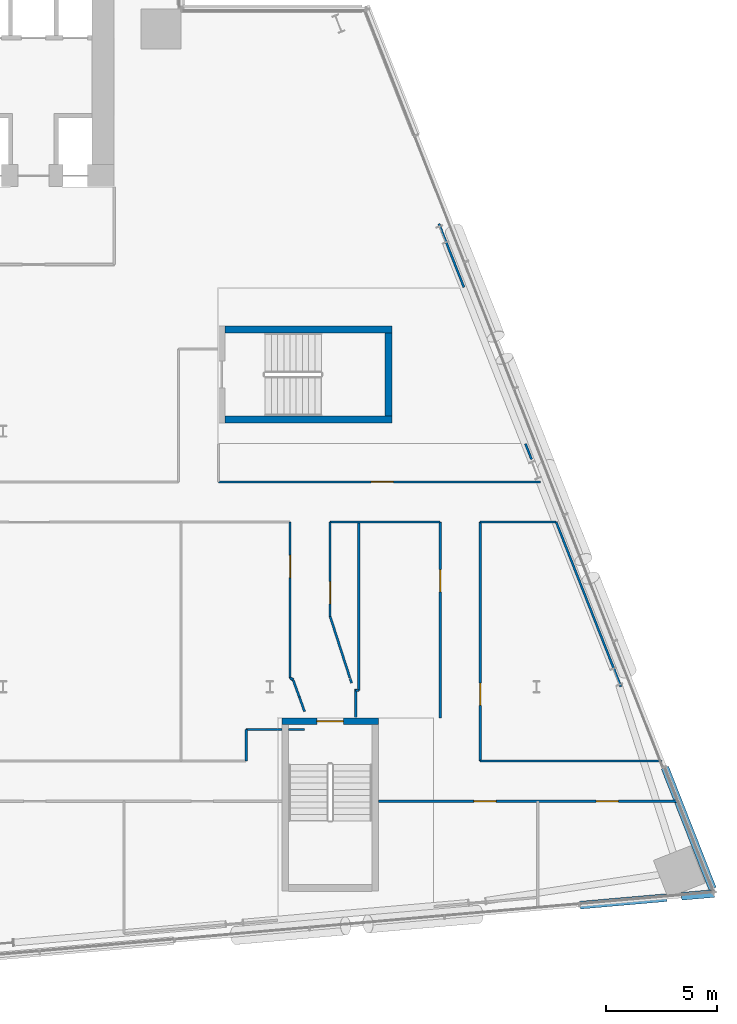
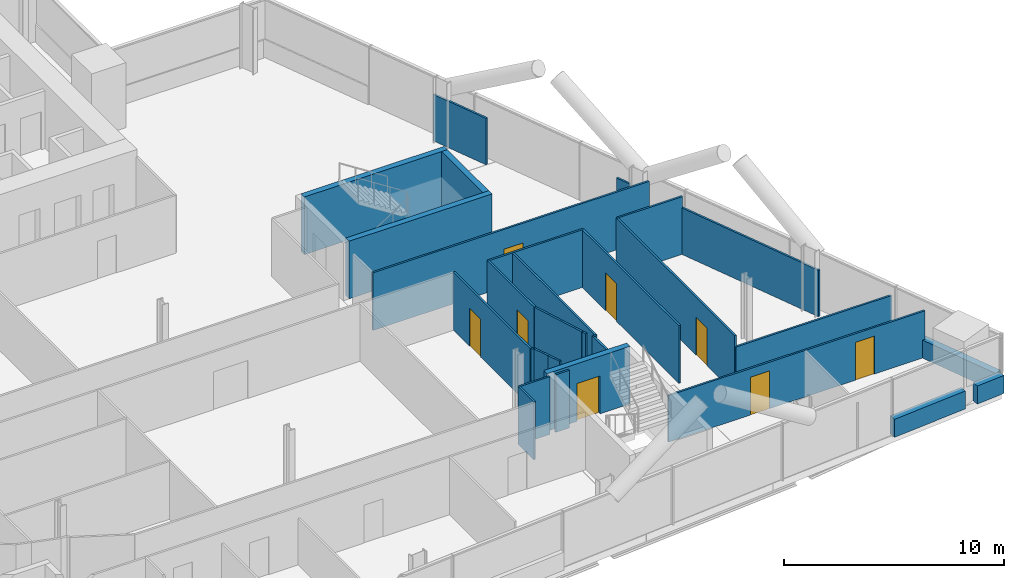
# One storey, part 20 of 27: 30 walls, 8 doors, 8 openings.
"""IFC4 building model written with IfcOpenShell, lengths in metres."""

from ifc_helpers import new_model, si_unit, direction, frame, frame_2d, origin, place, context, subcontext, project, spatial, rectangle, extrude, material, layer, layer_set, type_object, element, fill, save


model = new_model("IFC4")

# Units and contexts
model_context = context("Model", 3, precision=1e-05, world=origin(), true_north=direction((0.0, 1.0)))
body_context = subcontext(model_context, "Body", "Model", "MODEL_VIEW")
ifc_project = project(units=[si_unit("LENGTHUNIT", "METRE"), si_unit("AREAUNIT", "SQUARE_METRE"), si_unit("VOLUMEUNIT", "CUBIC_METRE"), si_unit("PLANEANGLEUNIT", "RADIAN"), si_unit("MASSUNIT", "GRAM", prefix="KILO")], contexts=[model_context])

# Site, building, storey
site_placement = place(None, origin())
site = spatial("IfcSite", under=ifc_project, at=site_placement, CompositionType="ELEMENT")
building_placement = place(site_placement, origin())
building = spatial("IfcBuilding", under=site, at=building_placement, Name="Wharfspan Tower", CompositionType="ELEMENT")
storey_placement = place(building_placement, frame((0.0, 0.0, 136.300049)))
storey = spatial("IfcBuildingStorey", under=building, at=storey_placement, Name="L32", CompositionType="ELEMENT", Elevation=136.300049)

# Wall, opening, door
ifc_material_1 = material(Name="Gypsum board on steel studs", Category="steel")
ifc_layer_1 = layer(ifc_material_1, 0.100098)
ifc_layer_set_1 = layer_set([ifc_layer_1], Name="Gypsum board on steel studs")
wall_type_1 = type_object("IfcWallType", Name="Compartment wall 100 EI 60", PredefinedType="PARTITIONING", material=ifc_layer_set_1)
wall_1_placement = place(storey_placement, frame((69.689941, 20.715088, 0.0), z_axis=(0.0, 0.0, 1.0), x_axis=(1.0, 0.0, 0.0)))
wall_1 = element("IfcWall", 1, at=wall_1_placement, inside=storey, type_object=wall_type_1, Name="Partition L32.w062", PredefinedType="PARTITIONING", context=body_context, shape_type="SweptSolid", body=[
    extrude(rectangle(XDim=14.485107, YDim=0.100098, at=frame_2d((7.242676, 0.0))), origin(), (0.0, 0.0, 1.0), 3.199951),
])
opening_1_placement = place(wall_1_placement, frame((6.87085, 0.0, 0.0)))
opening_1 = element("IfcOpeningElement", 2, at=opening_1_placement, cuts=wall_1, Name="Opening B5-28", PredefinedType="OPENING", context=body_context, shape_type="SweptSolid", body=[
    extrude(rectangle(XDim=1.0, YDim=2.100098, at=frame_2d((0.5, 1.050049))), frame((0.0, 0.060059, 0.0), z_axis=(0.0, -1.0, 0.0), x_axis=(1.0, 0.0, 0.0)), (0.0, 0.0, 1.0), 0.120117),
])
ifc_material_2 = material(Name="Fire-rated timber door leaf in steel frame", Category="steel")
door_type_1 = type_object("IfcDoorType", Name="Door 1000 FD30S Right", OperationType="SINGLE_SWING_RIGHT", PredefinedType="DOOR", material=ifc_material_2)
door_1_placement = place(opening_1_placement, origin())
door_1 = element("IfcDoor", 3, at=door_1_placement, inside=storey, type_object=door_type_1, Name="Door B5-28", OperationType="SINGLE_SWING_RIGHT", OverallHeight=2.100098, OverallWidth=1.0, PredefinedType="DOOR", context=body_context, shape_type="SweptSolid", body=[
    extrude(rectangle(XDim=1.0, YDim=2.100098, at=frame_2d((0.5, 1.050049))), frame((0.0, 0.024902, 0.0), z_axis=(0.0, -1.0, 0.0), x_axis=(1.0, 0.0, 0.0)), (0.0, 0.0, 1.0), 0.050049),
])
fill(opening_1, door_1)

# Walls
wall_2_placement = place(storey_placement, frame((70.939941, 8.149902, 0.0), z_axis=(0.0, 0.0, 1.0), x_axis=(0.0, 1.0, 0.0)))
element("IfcWall", 4, at=wall_2_placement, inside=storey, type_object=wall_type_1, Name="Partition L32.w063", PredefinedType="PARTITIONING", context=body_context, shape_type="SweptSolid", body=[
    extrude(rectangle(XDim=1.420166, YDim=0.100098, at=frame_2d((0.709961, 0.0))), origin(), (0.0, 0.0, 1.0), 3.199951),
])
wall_3_placement = place(storey_placement, frame((70.939941, 9.574951, 0.0), z_axis=(0.0, 0.0, 1.0), x_axis=(1.0, 0.0, 0.0)))
element("IfcWall", 5, at=wall_3_placement, inside=storey, type_object=wall_type_1, Name="Partition L32.w064", PredefinedType="PARTITIONING", context=body_context, shape_type="SweptSolid", body=[
    extrude(rectangle(XDim=1.601074, YDim=0.100098, at=frame_2d((0.800537, 0.0))), origin(), (0.0, 0.0, 1.0), 3.199951),
])

# Wall, opening, door
wall_4_placement = place(storey_placement, frame((72.915039, 11.89502, 0.0), z_axis=(0.0, 0.0, 1.0), x_axis=(0.0, 1.0, 0.0)))
wall_4 = element("IfcWall", 6, at=wall_4_placement, inside=storey, type_object=wall_type_1, Name="Partition L32.w065", PredefinedType="PARTITIONING", context=body_context, shape_type="SweptSolid", body=[
    extrude(rectangle(XDim=7.02002, YDim=0.100098, at=frame_2d((3.51001, 0.0))), origin(), (0.0, 0.0, 1.0), 3.199951),
])
opening_2_placement = place(wall_4_placement, frame((4.514893, 0.0, 0.0)))
opening_2 = element("IfcOpeningElement", 7, at=opening_2_placement, cuts=wall_4, Name="Opening B5-22", PredefinedType="OPENING", context=body_context, shape_type="SweptSolid", body=[
    extrude(rectangle(XDim=1.0, YDim=2.100098, at=frame_2d((0.5, 1.050049))), frame((0.0, 0.060059, 0.0), z_axis=(0.0, -1.0, 0.0), x_axis=(1.0, 0.0, 0.0)), (0.0, 0.0, 1.0), 0.120117),
])
door_2_placement = place(opening_2_placement, origin())
door_2 = element("IfcDoor", 8, at=door_2_placement, inside=storey, type_object=door_type_1, Name="Door B5-22", OperationType="SINGLE_SWING_RIGHT", OverallHeight=2.100098, OverallWidth=1.0, PredefinedType="DOOR", context=body_context, shape_type="SweptSolid", body=[
    extrude(rectangle(XDim=1.0, YDim=2.100098, at=frame_2d((0.5, 1.050049))), frame((0.0, 0.024902, 0.0), z_axis=(0.0, -1.0, 0.0), x_axis=(1.0, 0.0, 0.0)), (0.0, 0.0, 1.0), 0.050049),
])
fill(opening_2, door_2)

# Walls
wall_5_placement = place(storey_placement, frame((73.044922, 11.814941, 0.0), z_axis=(0.0, 0.0, 1.0), x_axis=(-0.851221, 0.524813, 0.0)))
element("IfcWall", 9, at=wall_5_placement, inside=storey, type_object=wall_type_1, Name="Partition L32.w066", PredefinedType="PARTITIONING", context=body_context, shape_type="SweptSolid", body=[
    extrude(rectangle(XDim=0.152588, YDim=0.100098, at=frame_2d((0.076172, 0.0))), origin(), (0.0, 0.0, 1.0), 3.199951),
])
wall_6_placement = place(storey_placement, frame((73.330078, 11.034912, 0.0), z_axis=(0.0, 0.0, 1.0), x_axis=(-0.343347, 0.939207, 0.0)))
element("IfcWall", 10, at=wall_6_placement, inside=storey, type_object=wall_type_1, Name="Partition L32.w067", PredefinedType="PARTITIONING", context=body_context, shape_type="SweptSolid", body=[
    extrude(rectangle(XDim=0.830566, YDim=0.100098, at=frame_2d((0.415283, 0.0))), origin(), (0.0, 0.0, 1.0), 3.199951),
])
wall_7_placement = place(storey_placement, frame((73.564941, 10.379883, 0.0), z_axis=(0.0, 0.0, 1.0), x_axis=(-0.337515, 0.941323, 0.0)))
element("IfcWall", 11, at=wall_7_placement, inside=storey, type_object=wall_type_1, Name="Partition L32.w069", PredefinedType="PARTITIONING", context=body_context, shape_type="SweptSolid", body=[
    extrude(rectangle(XDim=0.695801, YDim=0.100098, at=frame_2d((0.3479, 0.0))), origin(), (0.0, 0.0, 1.0), 3.199951),
])

# Wall, opening, door
wall_8_placement = place(storey_placement, frame((74.715088, 14.659912, 0.0), z_axis=(0.0, 0.0, 1.0), x_axis=(0.0, 1.0, 0.0)))
wall_8 = element("IfcWall", 12, at=wall_8_placement, inside=storey, type_object=wall_type_1, Name="Partition L32.w070", PredefinedType="PARTITIONING", context=body_context, shape_type="SweptSolid", body=[
    extrude(rectangle(XDim=4.255127, YDim=0.100098, at=frame_2d((2.127441, 0.0))), origin(), (0.0, 0.0, 1.0), 3.199951),
])
opening_3_placement = place(wall_8_placement, frame((0.56543, 0.0, 0.0)))
opening_3 = element("IfcOpeningElement", 13, at=opening_3_placement, cuts=wall_8, Name="Opening B5-19", PredefinedType="OPENING", context=body_context, shape_type="SweptSolid", body=[
    extrude(rectangle(XDim=1.0, YDim=2.100098, at=frame_2d((0.5, 1.050049))), frame((0.0, 0.060059, 0.0), z_axis=(0.0, -1.0, 0.0), x_axis=(1.0, 0.0, 0.0)), (0.0, 0.0, 1.0), 0.120117),
])
door_type_2 = type_object("IfcDoorType", Name="Door 1000 FD30S Left", OperationType="SINGLE_SWING_LEFT", PredefinedType="DOOR", material=ifc_material_2)
door_3_placement = place(opening_3_placement, origin())
door_3 = element("IfcDoor", 14, at=door_3_placement, inside=storey, type_object=door_type_2, Name="Door B5-19", OperationType="SINGLE_SWING_LEFT", OverallHeight=2.100098, OverallWidth=1.0, PredefinedType="DOOR", context=body_context, shape_type="SweptSolid", body=[
    extrude(rectangle(XDim=1.0, YDim=2.100098, at=frame_2d((0.5, 1.050049))), frame((0.0, 0.024902, 0.0), z_axis=(0.0, -1.0, 0.0), x_axis=(1.0, 0.0, 0.0)), (0.0, 0.0, 1.0), 0.050049),
])
fill(opening_3, door_3)

# Walls
wall_9_placement = place(storey_placement, frame((74.715088, 18.915039, 0.0), z_axis=(0.0, 0.0, 1.0), x_axis=(1.0, 0.0, 0.0)))
element("IfcWall", 15, at=wall_9_placement, inside=storey, type_object=wall_type_1, Name="Partition L32.w071", PredefinedType="PARTITIONING", context=body_context, shape_type="SweptSolid", body=[
    extrude(rectangle(XDim=4.954834, YDim=0.100098, at=frame_2d((2.477539, 0.0))), origin(), (0.0, 0.0, 1.0), 3.199951),
])
wall_10_placement = place(storey_placement, frame((75.60498, 11.89502, 0.0), z_axis=(0.0, 0.0, 1.0), x_axis=(-0.306376, 0.951909, 0.0)))
element("IfcWall", 16, at=wall_10_placement, inside=storey, type_object=wall_type_1, Name="Partition L32.w072", PredefinedType="PARTITIONING", context=body_context, shape_type="SweptSolid", body=[
    extrude(rectangle(XDim=2.904541, YDim=0.100098, at=frame_2d((1.452148, 0.0))), origin(), (0.0, 0.0, 1.0), 3.199951),
])
wall_11_placement = place(storey_placement, frame((75.679932, 11.665039, 0.0), z_axis=(0.0, 0.0, 1.0), x_axis=(-0.308902, 0.951093, 0.0)))
element("IfcWall", 17, at=wall_11_placement, inside=storey, type_object=wall_type_1, Name="Partition L32.w073", PredefinedType="PARTITIONING", context=body_context, shape_type="SweptSolid", body=[
    extrude(rectangle(XDim=0.210205, YDim=0.100098, at=frame_2d((0.10498, 0.0))), origin(), (0.0, 0.0, 1.0), 3.199951),
])
wall_12_placement = place(storey_placement, frame((75.86499, 10.114746, 0.0), z_axis=(0.0, 0.0, 1.0), x_axis=(0.0, 1.0, 0.0)))
element("IfcWall", 18, at=wall_12_placement, inside=storey, type_object=wall_type_1, Name="Partition L32.w074", PredefinedType="PARTITIONING", context=body_context, shape_type="SweptSolid", body=[
    extrude(rectangle(XDim=1.280273, YDim=0.100098, at=frame_2d((0.640137, 0.0))), origin(), (0.0, 0.0, 1.0), 3.199951),
])
wall_13_placement = place(storey_placement, frame((75.86499, 11.314941, 0.0), z_axis=(0.0, 0.0, 1.0), x_axis=(0.989182, 0.146678, 0.0)))
element("IfcWall", 19, at=wall_13_placement, inside=storey, type_object=wall_type_1, Name="Partition L32.w075", PredefinedType="PARTITIONING", context=body_context, shape_type="SweptSolid", body=[
    extrude(rectangle(XDim=0.136475, YDim=0.100098, at=frame_2d((0.068359, 0.0))), origin(), (0.0, 0.0, 1.0), 3.199951),
])
wall_14_placement = place(storey_placement, frame((76.0, 11.334961, 0.0), z_axis=(0.0, 0.0, 1.0), x_axis=(0.0, 1.0, 0.0)))
element("IfcWall", 20, at=wall_14_placement, inside=storey, type_object=wall_type_1, Name="Partition L32.w076", PredefinedType="PARTITIONING", context=body_context, shape_type="SweptSolid", body=[
    extrude(rectangle(XDim=7.580078, YDim=0.100098, at=frame_2d((3.790039, 0.0))), origin(), (0.0, 0.0, 1.0), 3.199951),
])

# Wall, openings, doors
wall_15_placement = place(storey_placement, frame((76.891113, 6.344971, 0.0), z_axis=(0.0, 0.0, 1.0), x_axis=(1.0, 0.0, 0.0)))
wall_15 = element("IfcWall", 21, at=wall_15_placement, inside=storey, type_object=wall_type_1, Name="Partition L32.w077", PredefinedType="PARTITIONING", context=body_context, shape_type="SweptSolid", body=[
    extrude(rectangle(XDim=13.458496, YDim=0.100098, at=frame_2d((6.729248, 0.0))), origin(), (0.0, 0.0, 1.0), 2.579834),
])
opening_4_placement = place(wall_15_placement, frame((4.293945, 0.0, 0.0)))
opening_4 = element("IfcOpeningElement", 22, at=opening_4_placement, cuts=wall_15, Name="Opening B5-12", PredefinedType="OPENING", context=body_context, shape_type="SweptSolid", body=[
    extrude(rectangle(XDim=1.0, YDim=2.100098, at=frame_2d((0.5, 1.050049))), frame((0.0, 0.060059, 0.0), z_axis=(0.0, -1.0, 0.0), x_axis=(1.0, 0.0, 0.0)), (0.0, 0.0, 1.0), 0.120117),
])
opening_5_placement = place(wall_15_placement, frame((9.793945, 0.0, 0.0)))
opening_5 = element("IfcOpeningElement", 23, at=opening_5_placement, cuts=wall_15, Name="Opening B5-13", PredefinedType="OPENING", context=body_context, shape_type="SweptSolid", body=[
    extrude(rectangle(XDim=1.0, YDim=2.100098, at=frame_2d((0.5, 1.050049))), frame((0.0, 0.060059, 0.0), z_axis=(0.0, -1.0, 0.0), x_axis=(1.0, 0.0, 0.0)), (0.0, 0.0, 1.0), 0.120117),
])
door_4_placement = place(opening_4_placement, origin())
door_4 = element("IfcDoor", 24, at=door_4_placement, inside=storey, type_object=door_type_2, Name="Door B5-12", OperationType="SINGLE_SWING_LEFT", OverallHeight=2.100098, OverallWidth=1.0, PredefinedType="DOOR", context=body_context, shape_type="SweptSolid", body=[
    extrude(rectangle(XDim=1.0, YDim=2.100098, at=frame_2d((0.5, 1.050049))), frame((0.0, 0.024902, 0.0), z_axis=(0.0, -1.0, 0.0), x_axis=(1.0, 0.0, 0.0)), (0.0, 0.0, 1.0), 0.050049),
])
fill(opening_4, door_4)
door_5_placement = place(opening_5_placement, origin())
door_5 = element("IfcDoor", 25, at=door_5_placement, inside=storey, type_object=door_type_1, Name="Door B5-13", OperationType="SINGLE_SWING_RIGHT", OverallHeight=2.100098, OverallWidth=1.0, PredefinedType="DOOR", context=body_context, shape_type="SweptSolid", body=[
    extrude(rectangle(XDim=1.0, YDim=2.100098, at=frame_2d((0.5, 1.050049))), frame((0.0, 0.024902, 0.0), z_axis=(0.0, -1.0, 0.0), x_axis=(1.0, 0.0, 0.0)), (0.0, 0.0, 1.0), 0.050049),
])
fill(opening_5, door_5)

# Wall, opening, door
wall_16_placement = place(storey_placement, frame((79.669922, 10.094971, 0.0), z_axis=(0.0, 0.0, 1.0), x_axis=(0.0, 1.0, 0.0)))
wall_16 = element("IfcWall", 26, at=wall_16_placement, inside=storey, type_object=wall_type_1, Name="Partition L32.w079", PredefinedType="PARTITIONING", context=body_context, shape_type="SweptSolid", body=[
    extrude(rectangle(XDim=8.820068, YDim=0.100098, at=frame_2d((4.410156, 0.0))), origin(), (0.0, 0.0, 1.0), 3.199951),
])
opening_6_placement = place(wall_16_placement, frame((5.669922, 0.0, 0.0)))
opening_6 = element("IfcOpeningElement", 27, at=opening_6_placement, cuts=wall_16, Name="Opening B5-21", PredefinedType="OPENING", context=body_context, shape_type="SweptSolid", body=[
    extrude(rectangle(XDim=1.0, YDim=2.100098, at=frame_2d((0.5, 1.050049))), frame((0.0, 0.060059, 0.0), z_axis=(0.0, -1.0, 0.0), x_axis=(1.0, 0.0, 0.0)), (0.0, 0.0, 1.0), 0.120117),
])
door_6_placement = place(opening_6_placement, origin())
door_6 = element("IfcDoor", 28, at=door_6_placement, inside=storey, type_object=door_type_1, Name="Door B5-21", OperationType="SINGLE_SWING_RIGHT", OverallHeight=2.100098, OverallWidth=1.0, PredefinedType="DOOR", context=body_context, shape_type="SweptSolid", body=[
    extrude(rectangle(XDim=1.0, YDim=2.100098, at=frame_2d((0.5, 1.050049))), frame((0.0, 0.024902, 0.0), z_axis=(0.0, -1.0, 0.0), x_axis=(1.0, 0.0, 0.0)), (0.0, 0.0, 1.0), 0.050049),
])
fill(opening_6, door_6)

wall_17_placement = place(storey_placement, frame((81.469971, 8.149902, 0.0), z_axis=(0.0, 0.0, 1.0), x_axis=(0.0, 1.0, 0.0)))
wall_17 = element("IfcWall", 29, at=wall_17_placement, inside=storey, type_object=wall_type_1, Name="Partition L32.w081", PredefinedType="PARTITIONING", context=body_context, shape_type="SweptSolid", body=[
    extrude(rectangle(XDim=10.765137, YDim=0.100098, at=frame_2d((5.382568, 0.0))), origin(), (0.0, 0.0, 1.0), 3.199951),
])
opening_7_placement = place(wall_17_placement, frame((2.51001, 0.0, 0.0)))
opening_7 = element("IfcOpeningElement", 30, at=opening_7_placement, cuts=wall_17, Name="Opening B5-16", PredefinedType="OPENING", context=body_context, shape_type="SweptSolid", body=[
    extrude(rectangle(XDim=1.0, YDim=2.100098, at=frame_2d((0.5, 1.050049))), frame((0.0, 0.060059, 0.0), z_axis=(0.0, -1.0, 0.0), x_axis=(1.0, 0.0, 0.0)), (0.0, 0.0, 1.0), 0.120117),
])
door_7_placement = place(opening_7_placement, origin())
door_7 = element("IfcDoor", 31, at=door_7_placement, inside=storey, type_object=door_type_2, Name="Door B5-16", OperationType="SINGLE_SWING_LEFT", OverallHeight=2.100098, OverallWidth=1.0, PredefinedType="DOOR", context=body_context, shape_type="SweptSolid", body=[
    extrude(rectangle(XDim=1.0, YDim=2.100098, at=frame_2d((0.5, 1.050049))), frame((0.0, 0.024902, 0.0), z_axis=(0.0, -1.0, 0.0), x_axis=(1.0, 0.0, 0.0)), (0.0, 0.0, 1.0), 0.050049),
])
fill(opening_7, door_7)

# Walls
wall_18_placement = place(storey_placement, frame((81.469971, 8.149902, 0.0), z_axis=(0.0, 0.0, 1.0), x_axis=(1.0, 0.0, 0.0)))
element("IfcWall", 32, at=wall_18_placement, inside=storey, type_object=wall_type_1, Name="Partition L32.w082", PredefinedType="PARTITIONING", context=body_context, shape_type="SweptSolid", body=[
    extrude(rectangle(XDim=8.170166, YDim=0.100098, at=frame_2d((4.084961, 0.0))), origin(), (0.0, 0.0, 1.0), 2.579834),
])
wall_19_placement = place(storey_placement, frame((81.469971, 18.915039, 0.0), z_axis=(0.0, 0.0, 1.0), x_axis=(1.0, 0.0, 0.0)))
element("IfcWall", 33, at=wall_19_placement, inside=storey, type_object=wall_type_1, Name="Partition L32.w083", PredefinedType="PARTITIONING", context=body_context, shape_type="SweptSolid", body=[
    extrude(rectangle(XDim=3.415039, YDim=0.100098, at=frame_2d((1.70752, 0.0))), origin(), (0.0, 0.0, 1.0), 3.199951),
])
wall_20_placement = place(storey_placement, frame((87.800049, 11.5, 0.0), z_axis=(0.0, 0.0, 1.0), x_axis=(-0.365869, 0.930668, 0.0)))
element("IfcWall", 34, at=wall_20_placement, inside=storey, type_object=wall_type_1, Name="Partition L32.w088", PredefinedType="PARTITIONING", context=body_context, shape_type="SweptSolid", body=[
    extrude(rectangle(XDim=7.967529, YDim=0.100098, at=frame_2d((3.983887, 0.0))), origin(), (0.0, 0.0, 1.0), 2.579834),
])
wall_21_placement = place(storey_placement, frame((72.841064, 9.574951, 0.0), z_axis=(0.0, 0.0, 1.0), x_axis=(1.0, 0.0, 0.0)))
element("IfcWall", 35, at=wall_21_placement, inside=storey, type_object=wall_type_1, Name="Partition L32.w064 (2)", PredefinedType="PARTITIONING", context=body_context, shape_type="SweptSolid", body=[
    extrude(rectangle(XDim=0.723877, YDim=0.100098, at=frame_2d((0.361816, 0.0))), origin(), (0.0, 0.0, 1.0), 3.199951),
])
ifc_layer_2 = layer(ifc_material_1, 0.100098)
ifc_layer_set_2 = layer_set([ifc_layer_2], Name="Gypsum board on steel studs")
wall_type_2 = type_object("IfcWallType", Name="Partition 100", PredefinedType="PARTITIONING", material=ifc_layer_set_2)
wall_22_placement = place(storey_placement, frame((80.737061, 29.469971, 0.0), z_axis=(0.0, 0.0, 1.0), x_axis=(-0.366592, 0.930378, 0.0)))
element("IfcWall", 36, at=wall_22_placement, inside=storey, type_object=wall_type_2, Name="Partition L32.w080", PredefinedType="PARTITIONING", context=body_context, shape_type="SweptSolid", body=[
    extrude(rectangle(XDim=3.074219, YDim=0.100098, at=frame_2d((1.537109, 0.0))), origin(), (0.0, 0.0, 1.0), 2.579834),
])
wall_23_placement = place(storey_placement, frame((83.780029, 21.72998, 0.0), z_axis=(0.0, 0.0, 1.0), x_axis=(-0.368088, 0.929787, 0.0)))
element("IfcWall", 37, at=wall_23_placement, inside=storey, type_object=wall_type_2, Name="Partition L32.w085", PredefinedType="PARTITIONING", context=body_context, shape_type="SweptSolid", body=[
    extrude(rectangle(XDim=0.752686, YDim=0.100098, at=frame_2d((0.376465, 0.0))), origin(), (0.0, 0.0, 1.0), 2.579834),
])
ifc_material_3 = material(Name="Concrete C40/50", Category="concrete")
ifc_layer_3 = layer(ifc_material_3, 0.350098)
ifc_layer_set_3 = layer_set([ifc_layer_3], Name="Concrete C40/50")
wall_type_3 = type_object("IfcWallType", Name="SPANDREL EXPOSED CONCRETE 350", PredefinedType="SOLIDWALL", material=ifc_layer_set_3)
wall_24_placement = place(storey_placement, frame((85.958984, 1.666504, 0.0), z_axis=(0.0, 0.0, 1.0), x_axis=(0.996194, 0.087167, 0.0)))
element("IfcWall", 38, at=wall_24_placement, inside=storey, type_object=wall_type_3, Name="Spandrel upstand L32 S2 2", PredefinedType="SOLIDWALL", context=body_context, shape_type="SweptSolid", body=[
    extrude(rectangle(XDim=3.921143, YDim=0.350098, at=frame_2d((1.960449, 0.0))), origin(), (0.0, 0.0, 1.0), 1.0),
])
wall_25_placement = place(storey_placement, frame((90.5271, 2.066162, 0.0), z_axis=(0.0, 0.0, 1.0), x_axis=(0.996198, 0.087157, 0.0)))
element("IfcWall", 39, at=wall_25_placement, inside=storey, type_object=wall_type_3, Name="Spandrel upstand L32 S2 3", PredefinedType="SOLIDWALL", context=body_context, shape_type="SweptSolid", body=[
    extrude(rectangle(XDim=1.479004, YDim=0.350098, at=frame_2d((0.739502, 0.0))), origin(), (0.0, 0.0, 1.0), 1.0),
])
wall_26_placement = place(storey_placement, frame((91.921387, 2.413574, 0.0), z_axis=(0.0, 0.0, 1.0), x_axis=(-0.36578, 0.930701, 0.0)))
element("IfcWall", 40, at=wall_26_placement, inside=storey, type_object=wall_type_3, Name="Spandrel upstand L32 E 1", PredefinedType="SOLIDWALL", context=body_context, shape_type="SweptSolid", body=[
    extrude(rectangle(XDim=5.851562, YDim=0.350098, at=frame_2d((2.925781, 0.0))), origin(), (0.0, 0.0, 1.0), 1.0),
])

# Wall, opening, door
ifc_layer_4 = layer(ifc_material_3, 0.300049)
ifc_layer_set_4 = layer_set([ifc_layer_4], Name="Concrete C40/50")
wall_type_4 = type_object("IfcWallType", Name="Stair core wall 300", PredefinedType="SHEAR", material=ifc_layer_set_4)
wall_27_placement = place(storey_placement, frame((72.541016, 9.94458, 0.0), z_axis=(0.0, 0.0, 1.0), x_axis=(1.0, 0.0, 0.0)))
wall_27 = element("IfcWall", 41, at=wall_27_placement, inside=storey, type_object=wall_type_4, Name="ST5 stair enclosure wall L32", PredefinedType="SHEAR", context=body_context, shape_type="SweptSolid", body=[
    extrude(rectangle(XDim=4.350098, YDim=0.300049, at=frame_2d((2.175049, 0.0))), origin(), (0.0, 0.0, 1.0), 3.199951),
])
opening_8_placement = place(wall_27_placement, frame((1.574951, 0.0, 0.0)))
opening_8 = element("IfcOpeningElement", 42, at=opening_8_placement, cuts=wall_27, Name="Opening SD5.L32", PredefinedType="OPENING", context=body_context, shape_type="SweptSolid", body=[
    extrude(rectangle(XDim=1.199951, YDim=2.100098, at=frame_2d((0.600098, 1.050049))), frame((0.0, 0.159912, 0.0), z_axis=(0.0, -1.0, 0.0), x_axis=(1.0, 0.0, 0.0)), (0.0, 0.0, 1.0), 0.320068),
])
ifc_material_4 = material(Name="Steel door leaf", Category="steel")
door_type_3 = type_object("IfcDoorType", Name="Stair door 1200x2100", OperationType="SINGLE_SWING_LEFT", PredefinedType="DOOR", material=ifc_material_4)
door_8_placement = place(opening_8_placement, origin())
door_8 = element("IfcDoor", 43, at=door_8_placement, inside=storey, type_object=door_type_3, Name="sd:L32:ST5z2", OperationType="SINGLE_SWING_RIGHT", OverallHeight=2.100098, OverallWidth=1.199951, PredefinedType="DOOR", context=body_context, shape_type="SweptSolid", body=[
    extrude(rectangle(XDim=1.199951, YDim=2.100098, at=frame_2d((0.600098, 1.050049))), frame((0.0, 0.024902, 0.0), z_axis=(0.0, -1.0, 0.0), x_axis=(1.0, 0.0, 0.0)), (0.0, 0.0, 1.0), 0.050049),
])
fill(opening_8, door_8)

# Walls
for number, where, z_axis, x_axis, name in (
    (44, (69.990479, 23.524902, 0.0), (0.0, 0.0, 1.0), (1.0, 0.0, 0.0), "ST6 stair enclosure wall L32"),
    (45, (69.990479, 27.574951, 0.0), (0.0, 0.0, 1.0), (1.0, 0.0, 0.0), "ST6 stair enclosure wall L32"),
):
    element("IfcWall", number, at=place(storey_placement, frame(where, z_axis=z_axis, x_axis=x_axis)), inside=storey, type_object=wall_type_4, Name=name, PredefinedType="SHEAR", context=body_context, shape_type="SweptSolid", body=[
        extrude(rectangle(XDim=7.5, YDim=0.300049, at=frame_2d((3.75, 0.0))), origin(), (0.0, 0.0, 1.0), 3.199951),
    ])
wall_28_placement = place(storey_placement, frame((77.340332, 23.675049, 0.0), z_axis=(0.0, 0.0, 1.0), x_axis=(0.0, 1.0, 0.0)))
element("IfcWall", 46, at=wall_28_placement, inside=storey, type_object=wall_type_4, Name="ST6 stair enclosure wall L32", PredefinedType="SHEAR", context=body_context, shape_type="SweptSolid", body=[
    extrude(rectangle(XDim=3.75, YDim=0.300049, at=frame_2d((1.875, 0.0))), origin(), (0.0, 0.0, 1.0), 3.199951),
])

save(model, "model.ifc")
